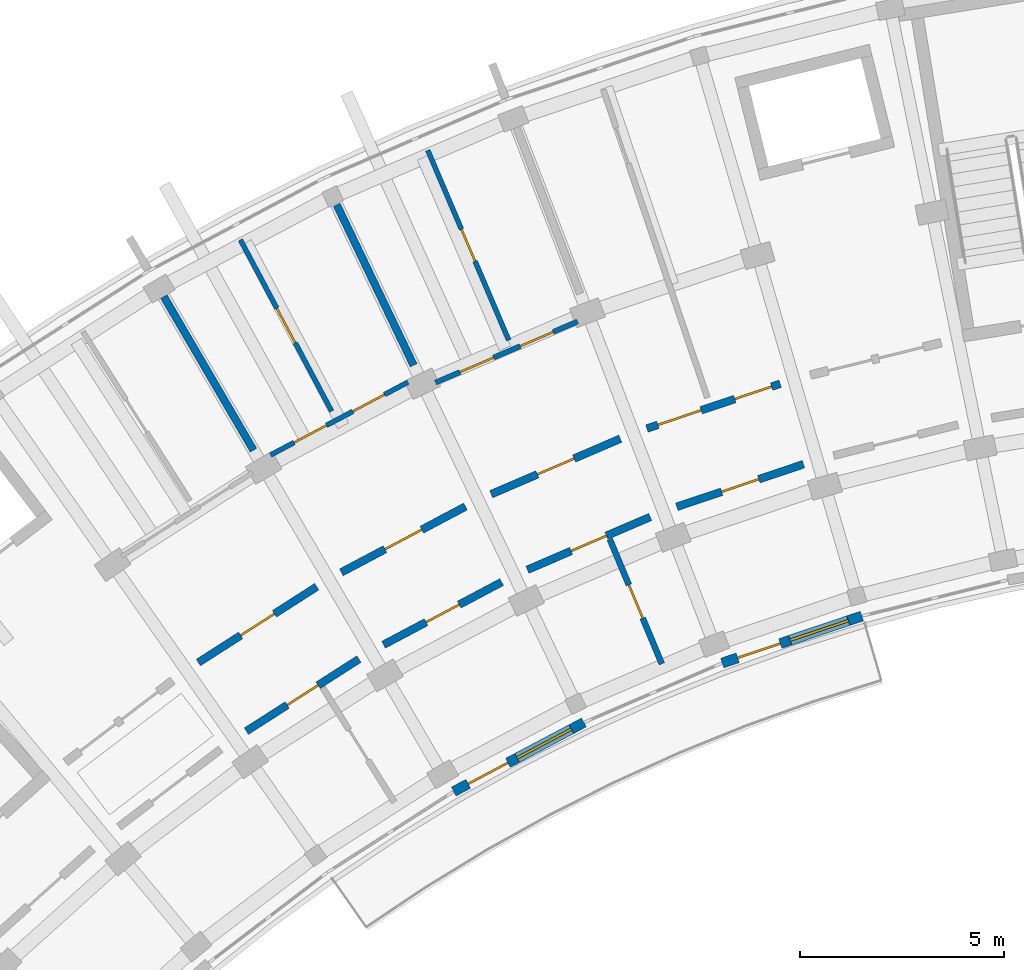
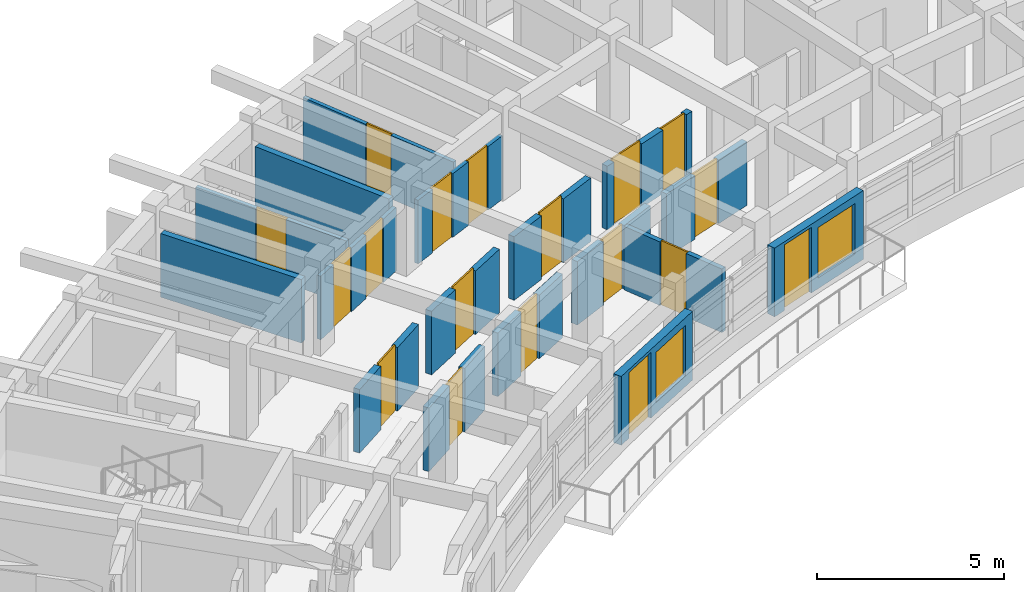
# One storey, part 21 of 38: 18 doors, 17 walls, 2 windows, 20 openings.
"""IFC4 building model written with IfcOpenShell, lengths in metres."""

from ifc_helpers import new_model, si_unit, direction, frame, frame_2d, origin, place, context, subcontext, project, spatial, rectangle, extrude, material, layer, layer_set, type_object, element, fill, save


model = new_model("IFC4")

# Units and contexts
model_context = context("Model", 3, precision=1e-05, world=origin(), true_north=direction((0.0, 1.0)))
body_context = subcontext(model_context, "Body", "Model", "MODEL_VIEW")
ifc_project = project(units=[si_unit("LENGTHUNIT", "METRE"), si_unit("AREAUNIT", "SQUARE_METRE"), si_unit("VOLUMEUNIT", "CUBIC_METRE"), si_unit("PLANEANGLEUNIT", "RADIAN"), si_unit("MASSUNIT", "GRAM", prefix="KILO")], contexts=[model_context])

# Site, building, storey
site_placement = place(None, origin())
site = spatial("IfcSite", under=ifc_project, at=site_placement, CompositionType="ELEMENT")
building_placement = place(site_placement, origin())
building = spatial("IfcBuilding", under=site, at=building_placement, Name="Zimvara Arc Housing Community", CompositionType="ELEMENT")
storey_placement = place(building_placement, frame((0.0, 0.0, 29.800048828125)))
storey = spatial("IfcBuildingStorey", under=building, at=storey_placement, Name="L09", CompositionType="ELEMENT", Elevation=29.800048828125)

# Wall, openings, door, window
ifc_material_1 = material(Name="Pigmented Fair-Faced Concrete C35/45", Category="concrete")
ifc_layer_1 = layer(ifc_material_1, 0.2451171875)
ifc_layer_set_1 = layer_set([ifc_layer_1], Name="Pigmented Fair-Faced Concrete C35/45")
wall_type_1 = type_object("IfcWallType", Name="EWL-PIGM-245", PredefinedType="SOLIDWALL", material=ifc_layer_set_1)
wall_1_placement = place(storey_placement, frame((22.51904296875, 83.0419921875, 0.0), z_axis=(0.0, 0.0, 1.0), x_axis=(0.883438308286, 0.468547495407, 0.0)))
wall_1 = element("IfcWall", 1, at=wall_1_placement, inside=storey, type_object=wall_type_1, Name="ewall:blkA:L09:in:b4", PredefinedType="SOLIDWALL", context=body_context, shape_type="SweptSolid", body=[
    extrude(rectangle(XDim=3.603759765625, YDim=0.2451171875, at=frame_2d((1.8017578125, 0.0))), origin(), (0.0, 0.0, 1.0), 2.25),
])
opening_1_placement = place(wall_1_placement, frame((0.39990234375, 0.0, 0.0)))
opening_1 = element("IfcOpeningElement", 2, at=opening_1_placement, cuts=wall_1, Name="Opening ED06", PredefinedType="OPENING", context=body_context, shape_type="SweptSolid", body=[
    extrude(rectangle(XDim=1.10009765625, YDim=2.14990234375, at=frame_2d((0.550048828125, 1.074951171875))), frame((0.0, 0.132568359375, 0.0), z_axis=(0.0, -1.0, 0.0), x_axis=(1.0, 0.0, 0.0)), (0.0, 0.0, 1.0), 0.26513671875),
])
opening_2_placement = place(wall_1_placement, frame((1.753662109375, 0.0, 0.35009765625)))
opening_2 = element("IfcOpeningElement", 3, at=opening_2_placement, cuts=wall_1, Name="Opening W07", PredefinedType="OPENING", context=body_context, shape_type="SweptSolid", body=[
    extrude(rectangle(XDim=1.5, YDim=1.64990234375, at=frame_2d((0.75, 0.824951171875))), frame((0.0, 0.132568359375, 0.0), z_axis=(0.0, -1.0, 0.0), x_axis=(1.0, 0.0, 0.0)), (0.0, 0.0, 1.0), 0.26513671875),
])
ifc_material_2 = material(Name="Anodised Aluminium AW-6063", Category="aluminium")
door_type_1 = type_object("IfcDoorType", Name="EDR-TERR-1100x2150", OperationType="NOTDEFINED", PredefinedType="DOOR", material=ifc_material_2)
door_1_placement = place(opening_1_placement, origin())
door_1 = element("IfcDoor", 4, at=door_1_placement, inside=storey, type_object=door_type_1, Name="edoor:blkA:L09:bal_in:b4", OperationType="SINGLE_SWING_RIGHT", OverallHeight=2.14990234375, OverallWidth=1.10009765625, PredefinedType="DOOR", context=body_context, shape_type="SweptSolid", body=[
    extrude(rectangle(XDim=1.10009765625, YDim=2.14990234375, at=frame_2d((0.550048828125, 1.074951171875))), frame((0.0, 0.02490234375, 0.0), z_axis=(0.0, -1.0, 0.0), x_axis=(1.0, 0.0, 0.0)), (0.0, 0.0, 1.0), 0.050048828125),
])
fill(opening_1, door_1)
ifc_material_3 = material(Name="Solar Control Low-E Double Glazing", Category="glass")
window_type = type_object("IfcWindowType", Name="WIN-RES-1500x1650", PartitioningType="DOUBLE_PANEL_VERTICAL", PredefinedType="WINDOW", material=ifc_material_3)
window_1_placement = place(opening_2_placement, origin())
window_1 = element("IfcWindow", 5, at=window_1_placement, inside=storey, type_object=window_type, Name="win:blkA:L09:in:b4:balw", OverallHeight=1.64990234375, OverallWidth=1.5, PartitioningType="DOUBLE_PANEL_VERTICAL", PredefinedType="WINDOW", context=body_context, shape_type="SweptSolid", body=[
    extrude(rectangle(XDim=1.5, YDim=1.64990234375, at=frame_2d((0.75, 0.824951171875))), frame((0.0, 0.030029296875, 0.0), z_axis=(0.0, -1.0, 0.0), x_axis=(1.0, 0.0, 0.0)), (0.0, 0.0, 1.0), 0.06005859375),
])
fill(opening_2, window_1)

wall_2_placement = place(storey_placement, frame((29.086669921875, 86.18505859375, 0.0), z_axis=(0.0, 0.0, 1.0), x_axis=(0.947880824442, 0.318625081649, 0.0)))
wall_2 = element("IfcWall", 6, at=wall_2_placement, inside=storey, type_object=wall_type_1, Name="ewall:blkA:L09:in:b6", PredefinedType="SOLIDWALL", context=body_context, shape_type="SweptSolid", body=[
    extrude(rectangle(XDim=3.603515625, YDim=0.2451171875, at=frame_2d((1.8017578125, 0.0))), origin(), (0.0, 0.0, 1.0), 2.25),
])
opening_3_placement = place(wall_2_placement, frame((0.39990234375, 0.0, 0.0)))
opening_3 = element("IfcOpeningElement", 7, at=opening_3_placement, cuts=wall_2, Name="Opening ED06", PredefinedType="OPENING", context=body_context, shape_type="SweptSolid", body=[
    extrude(rectangle(XDim=1.10009765625, YDim=2.14990234375, at=frame_2d((0.550048828125, 1.074951171875))), frame((0.0, 0.132568359375, 0.0), z_axis=(0.0, -1.0, 0.0), x_axis=(1.0, 0.0, 0.0)), (0.0, 0.0, 1.0), 0.26513671875),
])
opening_4_placement = place(wall_2_placement, frame((1.753662109375, 0.0, 0.35009765625)))
opening_4 = element("IfcOpeningElement", 8, at=opening_4_placement, cuts=wall_2, Name="Opening W07", PredefinedType="OPENING", context=body_context, shape_type="SweptSolid", body=[
    extrude(rectangle(XDim=1.5, YDim=1.64990234375, at=frame_2d((0.75, 0.824951171875))), frame((0.0, 0.132568359375, 0.0), z_axis=(0.0, -1.0, 0.0), x_axis=(1.0, 0.0, 0.0)), (0.0, 0.0, 1.0), 0.26513671875),
])
door_2_placement = place(opening_3_placement, origin())
door_2 = element("IfcDoor", 9, at=door_2_placement, inside=storey, type_object=door_type_1, Name="edoor:blkA:L09:bal_in:b6", OperationType="SINGLE_SWING_RIGHT", OverallHeight=2.14990234375, OverallWidth=1.10009765625, PredefinedType="DOOR", context=body_context, shape_type="SweptSolid", body=[
    extrude(rectangle(XDim=1.10009765625, YDim=2.14990234375, at=frame_2d((0.550048828125, 1.074951171875))), frame((0.0, 0.02490234375, 0.0), z_axis=(0.0, -1.0, 0.0), x_axis=(1.0, 0.0, 0.0)), (0.0, 0.0, 1.0), 0.050048828125),
])
fill(opening_3, door_2)
window_2_placement = place(opening_4_placement, origin())
window_2 = element("IfcWindow", 10, at=window_2_placement, inside=storey, type_object=window_type, Name="win:blkA:L09:in:b6:balw", OverallHeight=1.64990234375, OverallWidth=1.5, PartitioningType="DOUBLE_PANEL_VERTICAL", PredefinedType="WINDOW", context=body_context, shape_type="SweptSolid", body=[
    extrude(rectangle(XDim=1.5, YDim=1.64990234375, at=frame_2d((0.75, 0.824951171875))), frame((0.0, 0.030029296875, 0.0), z_axis=(0.0, -1.0, 0.0), x_axis=(1.0, 0.0, 0.0)), (0.0, 0.0, 1.0), 0.06005859375),
])
fill(opening_4, window_2)

# Wall, opening, door
ifc_material_4 = material(Name="Concrete C35/45", Category="concrete")
ifc_layer_2 = layer(ifc_material_4, 0.18994140625)
ifc_layer_set_2 = layer_set([ifc_layer_2], Name="Concrete C35/45")
wall_type_2 = type_object("IfcWallType", Name="IWL-CORR-190", PredefinedType="SOLIDWALL", material=ifc_layer_set_2)
wall_3_placement = place(storey_placement, frame((16.272216796875, 86.198974609375, 0.0), z_axis=(0.0, 0.0, 1.0), x_axis=(0.842257205985, 0.539075874963, 0.0)))
wall_3 = element("IfcWall", 11, at=wall_3_placement, inside=storey, type_object=wall_type_2, Name="iwall:blkA:L09:corr_out:b3", PredefinedType="SOLIDWALL", context=body_context, shape_type="SweptSolid", body=[
    extrude(rectangle(XDim=3.43603515625, YDim=0.18994140625, at=frame_2d((1.718017578125, 0.0))), origin(), (0.0, 0.0, 1.0), 2.079833984375),
])
opening_5_placement = place(wall_3_placement, frame((1.22802734375, 0.0, 0.0)))
opening_5 = element("IfcOpeningElement", 12, at=opening_5_placement, cuts=wall_3, Name="Opening FD-FL1", PredefinedType="OPENING", context=body_context, shape_type="SweptSolid", body=[
    extrude(rectangle(XDim=0.97998046875, YDim=2.14990234375, at=frame_2d((0.489990234375, 1.074951171875))), frame((0.0, 0.10498046875, 0.0), z_axis=(0.0, -1.0, 0.0), x_axis=(1.0, 0.0, 0.0)), (0.0, 0.0, 1.0), 0.2099609375),
])
ifc_material_5 = material(Name="Mozambican Hardwood", Category="wood")
door_type_2 = type_object("IfcDoorType", Name="IDR-FLAT-0980x2150", OperationType="NOTDEFINED", PredefinedType="DOOR", material=ifc_material_5)
door_3_placement = place(opening_5_placement, origin())
door_3 = element("IfcDoor", 13, at=door_3_placement, inside=storey, type_object=door_type_2, Name="idoor:blkA:L09:flat:b3", OperationType="SINGLE_SWING_LEFT", OverallHeight=2.14990234375, OverallWidth=0.97998046875, PredefinedType="DOOR", context=body_context, shape_type="SweptSolid", body=[
    extrude(rectangle(XDim=0.97998046875, YDim=2.14990234375, at=frame_2d((0.489990234375, 1.074951171875))), frame((0.0, 0.02490234375, 0.0), z_axis=(0.0, -1.0, 0.0), x_axis=(1.0, 0.0, 0.0)), (0.0, 0.0, 1.0), 0.050048828125),
])
fill(opening_5, door_3)

wall_4_placement = place(storey_placement, frame((17.44677734375, 84.518798828125, 0.0), z_axis=(0.0, 0.0, 1.0), x_axis=(0.842225276846, 0.539125758095, 0.0)))
wall_4 = element("IfcWall", 14, at=wall_4_placement, inside=storey, type_object=wall_type_2, Name="iwall:blkA:L09:corr_in:b3", PredefinedType="SOLIDWALL", context=body_context, shape_type="SweptSolid", body=[
    extrude(rectangle(XDim=3.2685546875, YDim=0.18994140625, at=frame_2d((1.63427734375, 0.0))), origin(), (0.0, 0.0, 1.0), 2.079833984375),
])
opening_6_placement = place(wall_4_placement, frame((1.184326171875, 0.0, 0.0)))
opening_6 = element("IfcOpeningElement", 15, at=opening_6_placement, cuts=wall_4, Name="Opening D01", PredefinedType="OPENING", context=body_context, shape_type="SweptSolid", body=[
    extrude(rectangle(XDim=0.89990234375, YDim=2.10009765625, at=frame_2d((0.449951171875, 1.050048828125))), frame((0.0, 0.10498046875, 0.0), z_axis=(0.0, -1.0, 0.0), x_axis=(1.0, 0.0, 0.0)), (0.0, 0.0, 1.0), 0.2099609375),
])
ifc_material_6 = material(Name="Mozambican Hardwood", Category="wood")
door_type_3 = type_object("IfcDoorType", Name="IDR-RM-0900x2100", OperationType="NOTDEFINED", PredefinedType="DOOR", material=ifc_material_6)
door_4_placement = place(opening_6_placement, origin())
door_4 = element("IfcDoor", 16, at=door_4_placement, inside=storey, type_object=door_type_3, Name="idoor:blkA:L09:in_rm:b3", OperationType="SINGLE_SWING_RIGHT", OverallHeight=2.10009765625, OverallWidth=0.89990234375, PredefinedType="DOOR", context=body_context, shape_type="SweptSolid", body=[
    extrude(rectangle(XDim=0.89990234375, YDim=2.10009765625, at=frame_2d((0.449951171875, 1.050048828125))), frame((0.0, 0.02490234375, 0.0), z_axis=(0.0, -1.0, 0.0), x_axis=(1.0, 0.0, 0.0)), (0.0, 0.0, 1.0), 0.050048828125),
])
fill(opening_6, door_4)

wall_5_placement = place(storey_placement, frame((19.770263671875, 88.40380859375, 0.0), z_axis=(0.0, 0.0, 1.0), x_axis=(0.883410853063, 0.468599258099, 0.0)))
wall_5 = element("IfcWall", 17, at=wall_5_placement, inside=storey, type_object=wall_type_2, Name="iwall:blkA:L09:corr_out:b4", PredefinedType="SOLIDWALL", context=body_context, shape_type="SweptSolid", body=[
    extrude(rectangle(XDim=3.43603515625, YDim=0.18994140625, at=frame_2d((1.718017578125, 0.0))), origin(), (0.0, 0.0, 1.0), 2.079833984375),
])
opening_7_placement = place(wall_5_placement, frame((1.2080078125, 0.0, 0.0)))
opening_7 = element("IfcOpeningElement", 18, at=opening_7_placement, cuts=wall_5, Name="Opening FD-FL2", PredefinedType="OPENING", context=body_context, shape_type="SweptSolid", body=[
    extrude(rectangle(XDim=1.02001953125, YDim=2.14990234375, at=frame_2d((0.510009765625, 1.074951171875))), frame((0.0, 0.10498046875, 0.0), z_axis=(0.0, -1.0, 0.0), x_axis=(1.0, 0.0, 0.0)), (0.0, 0.0, 1.0), 0.2099609375),
])
ifc_material_7 = material(Name="Mozambican Hardwood", Category="wood")
door_type_4 = type_object("IfcDoorType", Name="IDR-FLAT-1020x2150", OperationType="NOTDEFINED", PredefinedType="DOOR", material=ifc_material_7)
door_5_placement = place(opening_7_placement, origin())
door_5 = element("IfcDoor", 19, at=door_5_placement, inside=storey, type_object=door_type_4, Name="idoor:blkA:L09:flat:b4", OperationType="SINGLE_SWING_LEFT", OverallHeight=2.14990234375, OverallWidth=1.02001953125, PredefinedType="DOOR", context=body_context, shape_type="SweptSolid", body=[
    extrude(rectangle(XDim=1.02001953125, YDim=2.14990234375, at=frame_2d((0.510009765625, 1.074951171875))), frame((0.0, 0.02490234375, 0.0), z_axis=(0.0, -1.0, 0.0), x_axis=(1.0, 0.0, 0.0)), (0.0, 0.0, 1.0), 0.050048828125),
])
fill(opening_7, door_5)

wall_6_placement = place(storey_placement, frame((20.8037109375, 86.633544921875, 0.0), z_axis=(0.0, 0.0, 1.0), x_axis=(0.883444301944, 0.468536194293, 0.0)))
wall_6 = element("IfcWall", 20, at=wall_6_placement, inside=storey, type_object=wall_type_2, Name="iwall:blkA:L09:corr_in:b4", PredefinedType="SOLIDWALL", context=body_context, shape_type="SweptSolid", body=[
    extrude(rectangle(XDim=3.268798828125, YDim=0.18994140625, at=frame_2d((1.63427734375, 0.0))), origin(), (0.0, 0.0, 1.0), 2.079833984375),
])
opening_8_placement = place(wall_6_placement, frame((1.17431640625, 0.0, 0.0)))
opening_8 = element("IfcOpeningElement", 21, at=opening_8_placement, cuts=wall_6, Name="Opening D02", PredefinedType="OPENING", context=body_context, shape_type="SweptSolid", body=[
    extrude(rectangle(XDim=0.919921875, YDim=2.10009765625, at=frame_2d((0.4599609375, 1.050048828125))), frame((0.0, 0.10498046875, 0.0), z_axis=(0.0, -1.0, 0.0), x_axis=(1.0, 0.0, 0.0)), (0.0, 0.0, 1.0), 0.2099609375),
])
ifc_material_8 = material(Name="Mozambican Hardwood", Category="wood")
door_type_5 = type_object("IfcDoorType", Name="IDR-RM-0920x2100", OperationType="NOTDEFINED", PredefinedType="DOOR", material=ifc_material_8)
door_6_placement = place(opening_8_placement, origin())
door_6 = element("IfcDoor", 22, at=door_6_placement, inside=storey, type_object=door_type_5, Name="idoor:blkA:L09:in_rm:b4", OperationType="SINGLE_SWING_RIGHT", OverallHeight=2.10009765625, OverallWidth=0.919921875, PredefinedType="DOOR", context=body_context, shape_type="SweptSolid", body=[
    extrude(rectangle(XDim=0.919921875, YDim=2.10009765625, at=frame_2d((0.4599609375, 1.050048828125))), frame((0.0, 0.02490234375, 0.0), z_axis=(0.0, -1.0, 0.0), x_axis=(1.0, 0.0, 0.0)), (0.0, 0.0, 1.0), 0.050048828125),
])
fill(opening_8, door_6)

wall_7_placement = place(storey_placement, frame((23.4365234375, 90.31591796875, 0.0), z_axis=(0.0, 0.0, 1.0), x_axis=(0.918718172399, 0.394913813008, 0.0)))
wall_7 = element("IfcWall", 23, at=wall_7_placement, inside=storey, type_object=wall_type_2, Name="iwall:blkA:L09:corr_out:b5", PredefinedType="SOLIDWALL", context=body_context, shape_type="SweptSolid", body=[
    extrude(rectangle(XDim=3.43603515625, YDim=0.18994140625, at=frame_2d((1.718017578125, 0.0))), origin(), (0.0, 0.0, 1.0), 2.079833984375),
])
opening_9_placement = place(wall_7_placement, frame((1.22802734375, 0.0, 0.0)))
opening_9 = element("IfcOpeningElement", 24, at=opening_9_placement, cuts=wall_7, Name="Opening FD-FL1", PredefinedType="OPENING", context=body_context, shape_type="SweptSolid", body=[
    extrude(rectangle(XDim=0.97998046875, YDim=2.14990234375, at=frame_2d((0.489990234375, 1.074951171875))), frame((0.0, 0.10498046875, 0.0), z_axis=(0.0, -1.0, 0.0), x_axis=(1.0, 0.0, 0.0)), (0.0, 0.0, 1.0), 0.2099609375),
])
door_7_placement = place(opening_9_placement, origin())
door_7 = element("IfcDoor", 25, at=door_7_placement, inside=storey, type_object=door_type_2, Name="idoor:blkA:L09:flat:b5", OperationType="SINGLE_SWING_RIGHT", OverallHeight=2.14990234375, OverallWidth=0.97998046875, PredefinedType="DOOR", context=body_context, shape_type="SweptSolid", body=[
    extrude(rectangle(XDim=0.97998046875, YDim=2.14990234375, at=frame_2d((0.489990234375, 1.074951171875))), frame((0.0, 0.02490234375, 0.0), z_axis=(0.0, -1.0, 0.0), x_axis=(1.0, 0.0, 0.0)), (0.0, 0.0, 1.0), 0.050048828125),
])
fill(opening_9, door_7)

wall_8_placement = place(storey_placement, frame((24.322265625, 88.46728515625, 0.0), z_axis=(0.0, 0.0, 1.0), x_axis=(0.918723391052, 0.394901672235, 0.0)))
wall_8 = element("IfcWall", 26, at=wall_8_placement, inside=storey, type_object=wall_type_2, Name="iwall:blkA:L09:corr_in:b5", PredefinedType="SOLIDWALL", context=body_context, shape_type="SweptSolid", body=[
    extrude(rectangle(XDim=3.2685546875, YDim=0.18994140625, at=frame_2d((1.63427734375, 0.0))), origin(), (0.0, 0.0, 1.0), 2.079833984375),
])
opening_10_placement = place(wall_8_placement, frame((1.164306640625, 0.0, 0.0)))
opening_10 = element("IfcOpeningElement", 27, at=opening_10_placement, cuts=wall_8, Name="Opening D03", PredefinedType="OPENING", context=body_context, shape_type="SweptSolid", body=[
    extrude(rectangle(XDim=0.93994140625, YDim=2.10009765625, at=frame_2d((0.469970703125, 1.050048828125))), frame((0.0, 0.10498046875, 0.0), z_axis=(0.0, -1.0, 0.0), x_axis=(1.0, 0.0, 0.0)), (0.0, 0.0, 1.0), 0.2099609375),
])
ifc_material_9 = material(Name="Mozambican Hardwood", Category="wood")
door_type_6 = type_object("IfcDoorType", Name="IDR-RM-0940x2100", OperationType="NOTDEFINED", PredefinedType="DOOR", material=ifc_material_9)
door_8_placement = place(opening_10_placement, origin())
door_8 = element("IfcDoor", 28, at=door_8_placement, inside=storey, type_object=door_type_6, Name="idoor:blkA:L09:in_rm:b5", OperationType="SINGLE_SWING_LEFT", OverallHeight=2.10009765625, OverallWidth=0.93994140625, PredefinedType="DOOR", context=body_context, shape_type="SweptSolid", body=[
    extrude(rectangle(XDim=0.93994140625, YDim=2.10009765625, at=frame_2d((0.469970703125, 1.050048828125))), frame((0.0, 0.02490234375, 0.0), z_axis=(0.0, -1.0, 0.0), x_axis=(1.0, 0.0, 0.0)), (0.0, 0.0, 1.0), 0.050048828125),
])
fill(opening_10, door_8)

# Wall, openings, doors
wall_9_placement = place(storey_placement, frame((27.24658203125, 91.922607421875, 0.0), z_axis=(0.0, 0.0, 1.0), x_axis=(0.947863007629, 0.318678080151, 0.0)))
wall_9 = element("IfcWall", 29, at=wall_9_placement, inside=storey, type_object=wall_type_2, Name="iwall:blkA:L09:corr_out:b6", PredefinedType="SOLIDWALL", context=body_context, shape_type="SweptSolid", body=[
    extrude(rectangle(XDim=3.43603515625, YDim=0.18994140625, at=frame_2d((1.718017578125, 0.0))), origin(), (0.0, 0.0, 1.0), 2.079833984375),
])
opening_11_placement = place(wall_9_placement, frame((0.280029296875, 0.0, 0.0)))
opening_11 = element("IfcOpeningElement", 30, at=opening_11_placement, cuts=wall_9, Name="Opening D07", PredefinedType="OPENING", context=body_context, shape_type="SweptSolid", body=[
    extrude(rectangle(XDim=1.1201171875, YDim=2.14990234375, at=frame_2d((0.56005859375, 1.074951171875))), frame((0.0, 0.10498046875, 0.0), z_axis=(0.0, -1.0, 0.0), x_axis=(1.0, 0.0, 0.0)), (0.0, 0.0, 1.0), 0.2099609375),
])
opening_12_placement = place(wall_9_placement, frame((2.26611328125, 0.0, 0.0)))
opening_12 = element("IfcOpeningElement", 31, at=opening_12_placement, cuts=wall_9, Name="Opening D06", PredefinedType="OPENING", context=body_context, shape_type="SweptSolid", body=[
    extrude(rectangle(XDim=0.949951171875, YDim=2.10009765625, at=frame_2d((0.47509765625, 1.050048828125))), frame((0.0, 0.10498046875, 0.0), z_axis=(0.0, -1.0, 0.0), x_axis=(1.0, 0.0, 0.0)), (0.0, 0.0, 1.0), 0.2099609375),
])
ifc_material_10 = material(Name="Mozambican Hardwood", Category="wood")
door_type_7 = type_object("IfcDoorType", Name="IDR-AMN-1120x2150", OperationType="NOTDEFINED", PredefinedType="DOOR", material=ifc_material_10)
door_9_placement = place(opening_11_placement, origin())
door_9 = element("IfcDoor", 32, at=door_9_placement, inside=storey, type_object=door_type_7, Name="idoor:blkA:L09:amen:b6", OperationType="SINGLE_SWING_RIGHT", OverallHeight=2.14990234375, OverallWidth=1.1201171875, PredefinedType="DOOR", context=body_context, shape_type="SweptSolid", body=[
    extrude(rectangle(XDim=1.1201171875, YDim=2.14990234375, at=frame_2d((0.56005859375, 1.074951171875))), frame((0.0, 0.02490234375, 0.0), z_axis=(0.0, -1.0, 0.0), x_axis=(1.0, 0.0, 0.0)), (0.0, 0.0, 1.0), 0.050048828125),
])
fill(opening_11, door_9)
ifc_material_11 = material(Name="Mozambican Hardwood", Category="wood")
door_type_8 = type_object("IfcDoorType", Name="IDR-AWC-0950x2100", OperationType="NOTDEFINED", PredefinedType="DOOR", material=ifc_material_11)
door_10_placement = place(opening_12_placement, origin())
door_10 = element("IfcDoor", 33, at=door_10_placement, inside=storey, type_object=door_type_8, Name="idoor:blkA:L09:cawc:b6", OperationType="SINGLE_SWING_LEFT", OverallHeight=2.10009765625, OverallWidth=0.949951171875, PredefinedType="DOOR", context=body_context, shape_type="SweptSolid", body=[
    extrude(rectangle(XDim=0.949951171875, YDim=2.10009765625, at=frame_2d((0.47509765625, 1.050048828125))), frame((0.0, 0.02490234375, 0.0), z_axis=(0.0, -1.0, 0.0), x_axis=(1.0, 0.0, 0.0)), (0.0, 0.0, 1.0), 0.050048828125),
])
fill(opening_12, door_10)

# Wall, opening, door
wall_10_placement = place(storey_placement, frame((27.978515625, 90.0078125, 0.0), z_axis=(0.0, 0.0, 1.0), x_axis=(0.94787351033, 0.318646839643, 0.0)))
wall_10 = element("IfcWall", 34, at=wall_10_placement, inside=storey, type_object=wall_type_2, Name="iwall:blkA:L09:corr_in:b6", PredefinedType="SOLIDWALL", context=body_context, shape_type="SweptSolid", body=[
    extrude(rectangle(XDim=3.2685546875, YDim=0.18994140625, at=frame_2d((1.63427734375, 0.0))), origin(), (0.0, 0.0, 1.0), 2.079833984375),
])
opening_13_placement = place(wall_10_placement, frame((1.154296875, 0.0, 0.0)))
opening_13 = element("IfcOpeningElement", 35, at=opening_13_placement, cuts=wall_10, Name="Opening D04", PredefinedType="OPENING", context=body_context, shape_type="SweptSolid", body=[
    extrude(rectangle(XDim=0.9599609375, YDim=2.10009765625, at=frame_2d((0.47998046875, 1.050048828125))), frame((0.0, 0.10498046875, 0.0), z_axis=(0.0, -1.0, 0.0), x_axis=(1.0, 0.0, 0.0)), (0.0, 0.0, 1.0), 0.2099609375),
])
ifc_material_12 = material(Name="Mozambican Hardwood", Category="wood")
door_type_9 = type_object("IfcDoorType", Name="IDR-RM-0960x2100", OperationType="NOTDEFINED", PredefinedType="DOOR", material=ifc_material_12)
door_11_placement = place(opening_13_placement, origin())
door_11 = element("IfcDoor", 36, at=door_11_placement, inside=storey, type_object=door_type_9, Name="idoor:blkA:L09:in_rm:b6", OperationType="SINGLE_SWING_RIGHT", OverallHeight=2.10009765625, OverallWidth=0.9599609375, PredefinedType="DOOR", context=body_context, shape_type="SweptSolid", body=[
    extrude(rectangle(XDim=0.9599609375, YDim=2.10009765625, at=frame_2d((0.47998046875, 1.050048828125))), frame((0.0, 0.02490234375, 0.0), z_axis=(0.0, -1.0, 0.0), x_axis=(1.0, 0.0, 0.0)), (0.0, 0.0, 1.0), 0.050048828125),
])
fill(opening_13, door_11)

# Walls
ifc_material_13 = material(Name="Concrete C35/45", Category="concrete")
ifc_layer_3 = layer(ifc_material_13, 0.18505859375)
ifc_layer_set_3 = layer_set([ifc_layer_3], Name="Concrete C35/45")
wall_type_3 = type_object("IfcWallType", Name="IWL-FLAT-185", PredefinedType="SOLIDWALL", material=ifc_layer_set_3)
for number, where, z_axis, x_axis, name in (
    (37, (17.62060546875, 91.391845703125, 0.0), (0.0, 0.0, 1.0), (-0.504216452091, 0.863577309475, 0.0), "iwall:blkA:L09:party:b4"),
    (38, (21.537841796875, 93.469482421875, 0.0), (0.0, 0.0, 1.0), (-0.432086898897, 0.901831975371, 0.0), "iwall:blkA:L09:party:b5"),
):
    element("IfcWall", number, at=place(storey_placement, frame(where, z_axis=z_axis, x_axis=x_axis)), inside=storey, type_object=wall_type_3, Name=name, PredefinedType="SOLIDWALL", context=body_context, shape_type="SweptSolid", body=[
        extrude(rectangle(XDim=4.35009765625, YDim=0.18505859375, at=frame_2d((2.175048828125, 0.0))), origin(), (0.0, 0.0, 1.0), 2.079833984375),
    ])

# Wall, openings, doors
ifc_material_14 = material(Name="Painted Acoustic Plasterboard")
ifc_layer_4 = layer(ifc_material_14, 0.1201171875)
ifc_layer_set_4 = layer_set([ifc_layer_4], Name="Painted Acoustic Plasterboard")
wall_type_4 = type_object("IfcWallType", Name="IWL-PART-120", PredefinedType="PARTITIONING", material=ifc_layer_set_4)
wall_11_placement = place(storey_placement, frame((18.036865234375, 91.2734375, 0.0), z_axis=(0.0, 0.0, 1.0), x_axis=(0.883441603894, 0.468541281543, 0.0)))
wall_11 = element("IfcWall", 39, at=wall_11_placement, inside=storey, type_object=wall_type_4, Name="iwall:blkA:L09:srv:b4", PredefinedType="PARTITIONING", context=body_context, shape_type="SweptSolid", body=[
    extrude(rectangle(XDim=3.8095703125, YDim=0.1201171875, at=frame_2d((1.90478515625, 0.0))), origin(), (0.0, 0.0, 1.0), 2.079833984375),
])
opening_14_placement = place(wall_11_placement, frame((0.64990234375, 0.0, 0.0)))
opening_14 = element("IfcOpeningElement", 40, at=opening_14_placement, cuts=wall_11, Name="Opening D01", PredefinedType="OPENING", context=body_context, shape_type="SweptSolid", body=[
    extrude(rectangle(XDim=0.89990234375, YDim=2.10009765625, at=frame_2d((0.449951171875, 1.050048828125))), frame((0.0, 0.070068359375, 0.0), z_axis=(0.0, -1.0, 0.0), x_axis=(1.0, 0.0, 0.0)), (0.0, 0.0, 1.0), 0.14013671875),
])
opening_15_placement = place(wall_11_placement, frame((2.279541015625, 0.0, 0.0)))
opening_15 = element("IfcOpeningElement", 41, at=opening_15_placement, cuts=wall_11, Name="Opening D05", PredefinedType="OPENING", context=body_context, shape_type="SweptSolid", body=[
    extrude(rectangle(XDim=0.8798828125, YDim=2.10009765625, at=frame_2d((0.43994140625, 1.050048828125))), frame((0.0, 0.070068359375, 0.0), z_axis=(0.0, -1.0, 0.0), x_axis=(1.0, 0.0, 0.0)), (0.0, 0.0, 1.0), 0.14013671875),
])
door_12_placement = place(opening_14_placement, origin())
door_12 = element("IfcDoor", 42, at=door_12_placement, inside=storey, type_object=door_type_3, Name="idoor:blkA:L09:kit_liv:b4", OperationType="SINGLE_SWING_LEFT", OverallHeight=2.10009765625, OverallWidth=0.89990234375, PredefinedType="DOOR", context=body_context, shape_type="SweptSolid", body=[
    extrude(rectangle(XDim=0.89990234375, YDim=2.10009765625, at=frame_2d((0.449951171875, 1.050048828125))), frame((0.0, 0.02490234375, 0.0), z_axis=(0.0, -1.0, 0.0), x_axis=(1.0, 0.0, 0.0)), (0.0, 0.0, 1.0), 0.050048828125),
])
fill(opening_14, door_12)
ifc_material_15 = material(Name="Mozambican Hardwood", Category="wood")
door_type_10 = type_object("IfcDoorType", Name="IDR-WC-0880x2100", OperationType="NOTDEFINED", PredefinedType="DOOR", material=ifc_material_15)
door_13_placement = place(opening_15_placement, origin())
door_13 = element("IfcDoor", 43, at=door_13_placement, inside=storey, type_object=door_type_10, Name="idoor:blkA:L09:bath_d:b4", OperationType="SINGLE_SWING_RIGHT", OverallHeight=2.10009765625, OverallWidth=0.8798828125, PredefinedType="DOOR", context=body_context, shape_type="SweptSolid", body=[
    extrude(rectangle(XDim=0.8798828125, YDim=2.10009765625, at=frame_2d((0.43994140625, 1.050048828125))), frame((0.0, 0.02490234375, 0.0), z_axis=(0.0, -1.0, 0.0), x_axis=(1.0, 0.0, 0.0)), (0.0, 0.0, 1.0), 0.050048828125),
])
fill(opening_15, door_13)

# Wall, opening, door
wall_12_placement = place(storey_placement, frame((19.53271484375, 92.343994140625, 0.0), z_axis=(0.0, 0.0, 1.0), x_axis=(-0.469867814586, 0.882736787959, 0.0)))
wall_12 = element("IfcWall", 44, at=wall_12_placement, inside=storey, type_object=wall_type_4, Name="iwall:blkA:L09:bed_div:b4", PredefinedType="PARTITIONING", context=body_context, shape_type="SweptSolid", body=[
    extrude(rectangle(XDim=4.750244140625, YDim=0.1201171875, at=frame_2d((2.375, 0.0))), origin(), (0.0, 0.0, 1.0), 2.079833984375),
])
opening_16_placement = place(wall_12_placement, frame((1.89501953125, 0.0, 0.0)))
opening_16 = element("IfcOpeningElement", 45, at=opening_16_placement, cuts=wall_12, Name="Opening D04", PredefinedType="OPENING", context=body_context, shape_type="SweptSolid", body=[
    extrude(rectangle(XDim=0.9599609375, YDim=2.10009765625, at=frame_2d((0.47998046875, 1.050048828125))), frame((0.0, 0.070068359375, 0.0), z_axis=(0.0, -1.0, 0.0), x_axis=(1.0, 0.0, 0.0)), (0.0, 0.0, 1.0), 0.14013671875),
])
door_14_placement = place(opening_16_placement, origin())
door_14 = element("IfcDoor", 46, at=door_14_placement, inside=storey, type_object=door_type_9, Name="idoor:blkA:L09:bed_d:b4", OperationType="SINGLE_SWING_LEFT", OverallHeight=2.10009765625, OverallWidth=0.9599609375, PredefinedType="DOOR", context=body_context, shape_type="SweptSolid", body=[
    extrude(rectangle(XDim=0.9599609375, YDim=2.10009765625, at=frame_2d((0.47998046875, 1.050048828125))), frame((0.0, 0.02490234375, 0.0), z_axis=(0.0, -1.0, 0.0), x_axis=(1.0, 0.0, 0.0)), (0.0, 0.0, 1.0), 0.050048828125),
])
fill(opening_16, door_14)

wall_13_placement = place(storey_placement, frame((23.864013671875, 94.0830078125, 0.0), z_axis=(0.0, 0.0, 1.0), x_axis=(-0.392109841969, 0.919918404985, 0.0)))
wall_13 = element("IfcWall", 47, at=wall_13_placement, inside=storey, type_object=wall_type_4, Name="iwall:blkA:L09:bed_div:b5", PredefinedType="PARTITIONING", context=body_context, shape_type="SweptSolid", body=[
    extrude(rectangle(XDim=5.05029296875, YDim=0.1201171875, at=frame_2d((2.525146484375, 0.0))), origin(), (0.0, 0.0, 1.0), 2.079833984375),
])
opening_17_placement = place(wall_13_placement, frame((2.10009765625, 0.0, 0.0)))
opening_17 = element("IfcOpeningElement", 48, at=opening_17_placement, cuts=wall_13, Name="Opening D11", PredefinedType="OPENING", context=body_context, shape_type="SweptSolid", body=[
    extrude(rectangle(XDim=0.85009765625, YDim=2.10009765625, at=frame_2d((0.425048828125, 1.050048828125))), frame((0.0, 0.070068359375, 0.0), z_axis=(0.0, -1.0, 0.0), x_axis=(1.0, 0.0, 0.0)), (0.0, 0.0, 1.0), 0.14013671875),
])
ifc_material_16 = material(Name="Mozambican Hardwood", Category="wood")
door_type_11 = type_object("IfcDoorType", Name="IDR-MOD-850x2060", OperationType="NOTDEFINED", PredefinedType="DOOR", material=ifc_material_16)
door_15_placement = place(opening_17_placement, origin())
door_15 = element("IfcDoor", 49, at=door_15_placement, inside=storey, type_object=door_type_11, Name="idoor:blkA:L09:bed_d:b5", OperationType="SINGLE_SWING_LEFT", OverallHeight=2.10009765625, OverallWidth=0.85009765625, PredefinedType="DOOR", context=body_context, shape_type="SweptSolid", body=[
    extrude(rectangle(XDim=0.85009765625, YDim=2.10009765625, at=frame_2d((0.425048828125, 1.050048828125))), frame((0.0, 0.02490234375, 0.0), z_axis=(0.0, -1.0, 0.0), x_axis=(1.0, 0.0, 0.0)), (0.0, 0.0, 1.0), 0.050048828125),
])
fill(opening_17, door_15)

# Wall, openings, doors
ifc_material_17 = material(Name="Painted Acoustic Plasterboard")
ifc_layer_5 = layer(ifc_material_17, 0.125)
ifc_layer_set_5 = layer_set([ifc_layer_5], Name="Painted Acoustic Plasterboard")
wall_type_5 = type_object("IfcWallType", Name="IWL-PART-125", PredefinedType="PARTITIONING", material=ifc_layer_set_5)
wall_14_placement = place(storey_placement, frame((22.072509765625, 93.046875, 0.0), z_axis=(0.0, 0.0, 1.0), x_axis=(0.918737522346, 0.394868794707, 0.0)))
wall_14 = element("IfcWall", 50, at=wall_14_placement, inside=storey, type_object=wall_type_5, Name="iwall:blkA:L09:srv:b5", PredefinedType="PARTITIONING", context=body_context, shape_type="SweptSolid", body=[
    extrude(rectangle(XDim=3.78515625, YDim=0.125, at=frame_2d((1.892578125, 0.0))), origin(), (0.0, 0.0, 1.0), 2.079833984375),
])
opening_18_placement = place(wall_14_placement, frame((0.64990234375, 0.0, 0.0)))
opening_18 = element("IfcOpeningElement", 51, at=opening_18_placement, cuts=wall_14, Name="Opening D01", PredefinedType="OPENING", context=body_context, shape_type="SweptSolid", body=[
    extrude(rectangle(XDim=0.89990234375, YDim=2.10009765625, at=frame_2d((0.449951171875, 1.050048828125))), frame((0.0, 0.072509765625, 0.0), z_axis=(0.0, -1.0, 0.0), x_axis=(1.0, 0.0, 0.0)), (0.0, 0.0, 1.0), 0.14501953125),
])
opening_19_placement = place(wall_14_placement, frame((2.255126953125, 0.0, 0.0)))
opening_19 = element("IfcOpeningElement", 52, at=opening_19_placement, cuts=wall_14, Name="Opening D05", PredefinedType="OPENING", context=body_context, shape_type="SweptSolid", body=[
    extrude(rectangle(XDim=0.8798828125, YDim=2.10009765625, at=frame_2d((0.43994140625, 1.050048828125))), frame((0.0, 0.072509765625, 0.0), z_axis=(0.0, -1.0, 0.0), x_axis=(1.0, 0.0, 0.0)), (0.0, 0.0, 1.0), 0.14501953125),
])
door_16_placement = place(opening_18_placement, origin())
door_16 = element("IfcDoor", 53, at=door_16_placement, inside=storey, type_object=door_type_3, Name="idoor:blkA:L09:kit_liv:b5", OperationType="SINGLE_SWING_LEFT", OverallHeight=2.10009765625, OverallWidth=0.89990234375, PredefinedType="DOOR", context=body_context, shape_type="SweptSolid", body=[
    extrude(rectangle(XDim=0.89990234375, YDim=2.10009765625, at=frame_2d((0.449951171875, 1.050048828125))), frame((0.0, 0.02490234375, 0.0), z_axis=(0.0, -1.0, 0.0), x_axis=(1.0, 0.0, 0.0)), (0.0, 0.0, 1.0), 0.050048828125),
])
fill(opening_18, door_16)
door_17_placement = place(opening_19_placement, origin())
door_17 = element("IfcDoor", 54, at=door_17_placement, inside=storey, type_object=door_type_10, Name="idoor:blkA:L09:bath_d:b5", OperationType="SINGLE_SWING_RIGHT", OverallHeight=2.10009765625, OverallWidth=0.8798828125, PredefinedType="DOOR", context=body_context, shape_type="SweptSolid", body=[
    extrude(rectangle(XDim=0.8798828125, YDim=2.10009765625, at=frame_2d((0.43994140625, 1.050048828125))), frame((0.0, 0.02490234375, 0.0), z_axis=(0.0, -1.0, 0.0), x_axis=(1.0, 0.0, 0.0)), (0.0, 0.0, 1.0), 0.050048828125),
])
fill(opening_19, door_17)

# Wall, opening, door
ifc_material_18 = material(Name="Painted Acoustic Plasterboard")
ifc_layer_6 = layer(ifc_material_18, 0.14501953125)
ifc_layer_set_6 = layer_set([ifc_layer_6], Name="Painted Acoustic Plasterboard")
wall_type_6 = type_object("IfcWallType", Name="IWL-WET-145", PredefinedType="PARTITIONING", material=ifc_layer_set_6)
wall_15_placement = place(storey_placement, frame((27.60888671875, 86.166259765625, 0.0), z_axis=(0.0, 0.0, 1.0), x_axis=(-0.385151143297, 0.922853507777, 0.0)))
wall_15 = element("IfcWall", 55, at=wall_15_placement, inside=storey, type_object=wall_type_6, Name="iwall:blkA:L09:ens:b5", PredefinedType="PARTITIONING", context=body_context, shape_type="SweptSolid", body=[
    extrude(rectangle(XDim=3.300048828125, YDim=0.14501953125, at=frame_2d((1.64990234375, 0.0))), origin(), (0.0, 0.0, 1.0), 2.079833984375),
])
opening_20_placement = place(wall_15_placement, frame((1.2099609375, 0.0, 0.0)))
opening_20 = element("IfcOpeningElement", 56, at=opening_20_placement, cuts=wall_15, Name="Opening D05", PredefinedType="OPENING", context=body_context, shape_type="SweptSolid", body=[
    extrude(rectangle(XDim=0.8798828125, YDim=2.10009765625, at=frame_2d((0.43994140625, 1.050048828125))), frame((0.0, 0.08251953125, 0.0), z_axis=(0.0, -1.0, 0.0), x_axis=(1.0, 0.0, 0.0)), (0.0, 0.0, 1.0), 0.1650390625),
])
door_18_placement = place(opening_20_placement, origin())
door_18 = element("IfcDoor", 57, at=door_18_placement, inside=storey, type_object=door_type_10, Name="idoor:blkA:L09:ens_d:b5", OperationType="SINGLE_SWING_RIGHT", OverallHeight=2.10009765625, OverallWidth=0.8798828125, PredefinedType="DOOR", context=body_context, shape_type="SweptSolid", body=[
    extrude(rectangle(XDim=0.8798828125, YDim=2.10009765625, at=frame_2d((0.43994140625, 1.050048828125))), frame((0.0, 0.02490234375, 0.0), z_axis=(0.0, -1.0, 0.0), x_axis=(1.0, 0.0, 0.0)), (0.0, 0.0, 1.0), 0.050048828125),
])
fill(opening_20, door_18)

save(model, "model.ifc")
